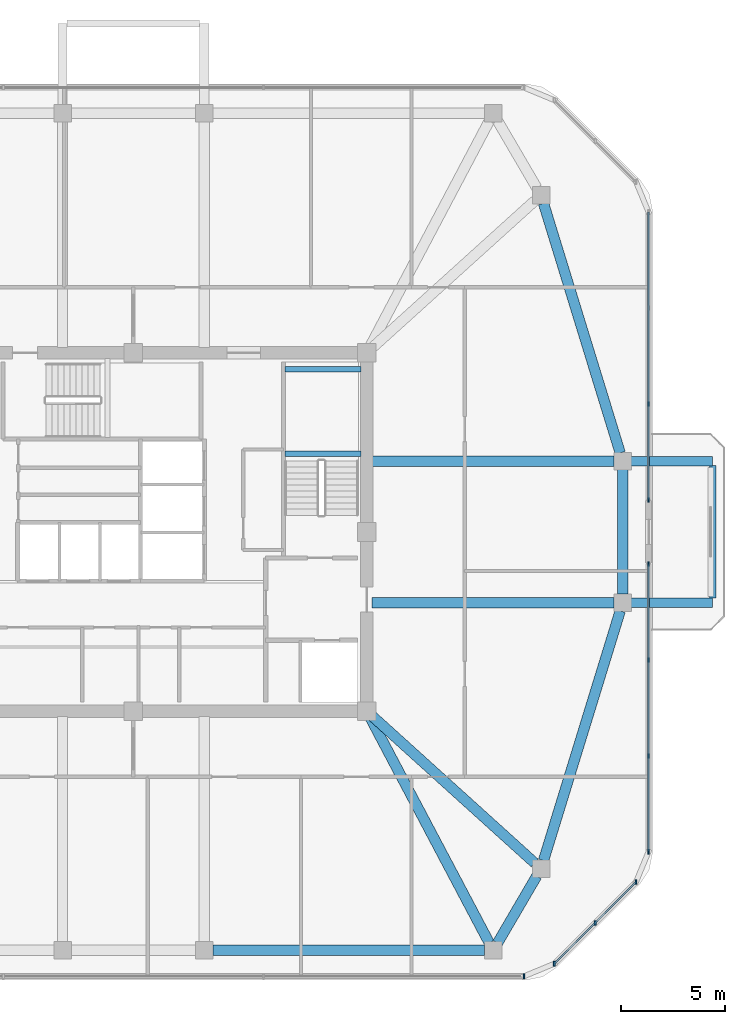
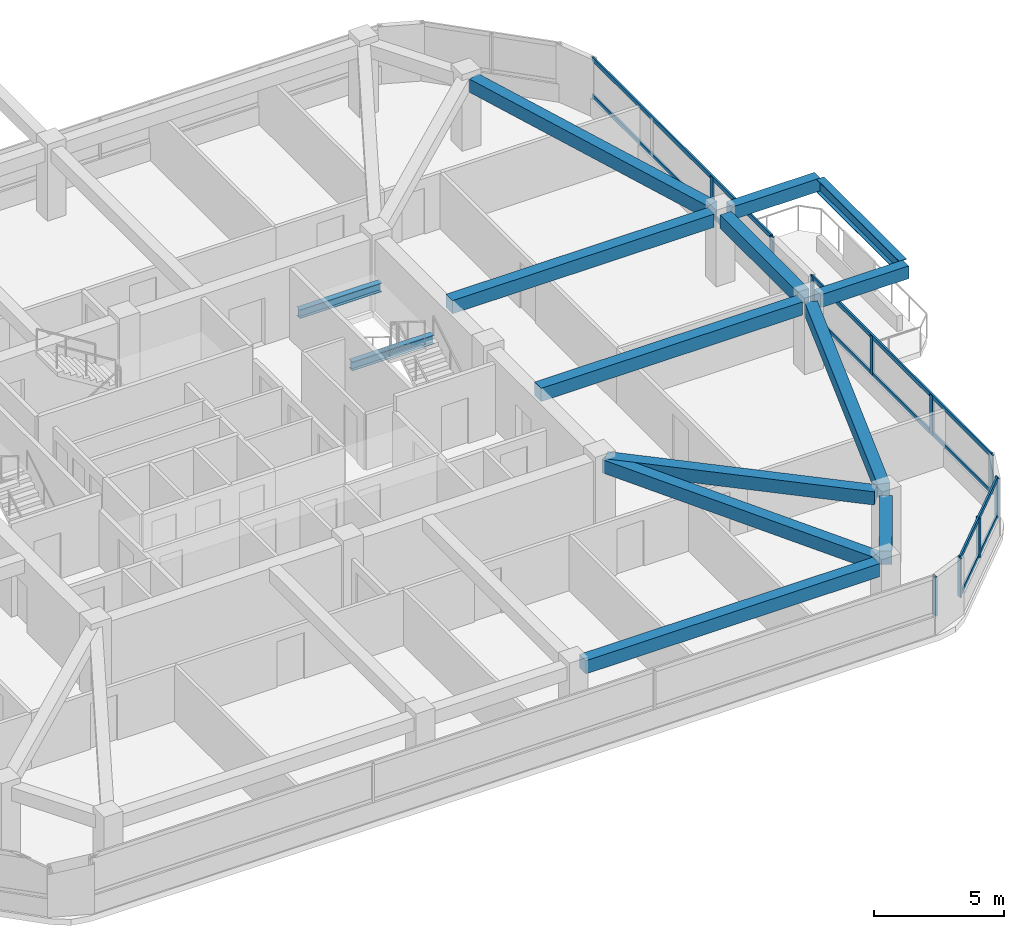
# One storey, part 5 of 14: 16 members, 14 beams, 4 elements without a shape of their own.
"""IFC4 building model written with IfcOpenShell, lengths in metres."""

from ifc_helpers import new_model, si_unit, derived_unit, direction, frame, origin, origin_2d, place, context, subcontext, project, spatial, rectangle, i_section, extrude, material, material_profile, profile_set, type_object, element, aggregate, save


model = new_model("IFC4")

# Units and contexts
model_context = context("Model", 3, precision=1e-05, world=origin(), true_north=direction((0.0, 1.0)))
body_context = subcontext(model_context, "Body", "Model", "MODEL_VIEW")
ifc_project = project(units=[si_unit("LENGTHUNIT", "METRE"), si_unit("AREAUNIT", "SQUARE_METRE"), si_unit("VOLUMEUNIT", "CUBIC_METRE"), si_unit("PLANEANGLEUNIT", "RADIAN"), si_unit("MASSUNIT", "GRAM", prefix="KILO"), derived_unit("THERMALTRANSMITTANCEUNIT", [(si_unit("POWERUNIT", "WATT"), 1), (si_unit("LENGTHUNIT", "METRE"), -2), (si_unit("THERMODYNAMICTEMPERATUREUNIT", "KELVIN"), -1)])], contexts=[model_context])

# Site, building, storey
site_placement = place(None, origin())
site = spatial("IfcSite", under=ifc_project, at=site_placement, CompositionType="ELEMENT")
building_placement = place(site_placement, origin())
building = spatial("IfcBuilding", under=site, at=building_placement, Name="Koralith Skygarden Medical Center", CompositionType="ELEMENT")
storey_placement = place(building_placement, frame((0.0, 0.0, 242.820068359375)))
storey = spatial("IfcBuildingStorey", under=building, at=storey_placement, Name="L62", CompositionType="ELEMENT", Elevation=242.820068359375)

# Curtain wall, member
ifc_material_1 = material(Name="Clear Laminated Glass", Category="glass")
curtain_wall_type = type_object("IfcCurtainWallType", Name="CW-6 Zone 5 Upper Clinical Curtain Wall", PredefinedType="NOTDEFINED", material=ifc_material_1)
curtain_wall_1_placement = place(storey_placement, origin())
curtain_wall_1 = element("IfcCurtainWall", 1, at=curtain_wall_1_placement, inside=storey, type_object=curtain_wall_type, Name="Curtain Wall CW-L62-S", PredefinedType="NOTDEFINED")
ifc_material_2 = material(Name="Aluminium 6063-T6", Category="aluminium")
ifc_material_profile_1 = material_profile(ifc_material_2, rectangle(XDim=0.0830078125, YDim=0.219970703125, at=origin_2d()), Name="MUL83X220")
ifc_profile_set_1 = profile_set([ifc_material_profile_1], Name="Aluminium 6063-T6")
member_type_1 = type_object("IfcMemberType", Name="CW-6 Extruded Mullion 83x220", PredefinedType="MULLION", material=ifc_profile_set_1)
member_1_placement = place(storey_placement, frame((55.7451171875, 4.580078125, 0.849853515625), z_axis=(0.0, 0.0, 1.0), x_axis=(1.0, 0.0, 0.0)))
member_1 = element("IfcMember", 2, at=member_1_placement, type_object=member_type_1, Name="CW-L62-S Mullion 4", PredefinedType="MULLION", context=body_context, shape_type="SweptSolid", body=[
    extrude(rectangle(XDim=0.0830078125, YDim=0.219970703125, at=origin_2d()), origin(), (0.0, 0.0, 1.0), 1.840087890625),
])
aggregate(curtain_wall_1, [member_1])

# Curtain wall, members
curtain_wall_2_placement = place(storey_placement, origin())
curtain_wall_2 = element("IfcCurtainWall", 3, at=curtain_wall_2_placement, inside=storey, type_object=curtain_wall_type, Name="Curtain Wall CW-L62-SE", PredefinedType="NOTDEFINED")
member_2_placement = place(storey_placement, frame((57.196044921875, 5.180908203125, 0.849853515625), z_axis=(0.0, 0.0, 1.0), x_axis=(1.0, 0.0, 0.0)))
member_2 = element("IfcMember", 4, at=member_2_placement, type_object=member_type_1, Name="CW-L62-SE Mullion 1", PredefinedType="MULLION", context=body_context, shape_type="SweptSolid", body=[
    extrude(rectangle(XDim=0.0830078125, YDim=0.219970703125, at=origin_2d()), origin(), (0.0, 0.0, 1.0), 1.840087890625),
])
member_3_placement = place(storey_placement, frame((59.156982421875, 7.14306640625, 0.849853515625), z_axis=(0.0, 0.0, 1.0), x_axis=(1.0, 0.0, 0.0)))
member_3 = element("IfcMember", 5, at=member_3_placement, type_object=member_type_1, Name="CW-L62-SE Mullion 2", PredefinedType="MULLION", context=body_context, shape_type="SweptSolid", body=[
    extrude(rectangle(XDim=0.0830078125, YDim=0.219970703125, at=origin_2d()), origin(), (0.0, 0.0, 1.0), 1.840087890625),
])
member_4_placement = place(storey_placement, frame((61.118896484375, 9.10400390625, 0.849853515625), z_axis=(0.0, 0.0, 1.0), x_axis=(1.0, 0.0, 0.0)))
member_4 = element("IfcMember", 6, at=member_4_placement, type_object=member_type_1, Name="CW-L62-SE Mullion 3", PredefinedType="MULLION", context=body_context, shape_type="SweptSolid", body=[
    extrude(rectangle(XDim=0.0830078125, YDim=0.219970703125, at=origin_2d()), origin(), (0.0, 0.0, 1.0), 1.840087890625),
])

curtain_wall_3_placement = place(storey_placement, origin())
curtain_wall_3 = element("IfcCurtainWall", 7, at=curtain_wall_3_placement, inside=storey, type_object=curtain_wall_type, Name="Curtain Wall CW-L62-E-L", PredefinedType="NOTDEFINED")
member_5_placement = place(storey_placement, frame((61.719970703125, 10.554931640625, 0.849853515625), z_axis=(0.0, 0.0, 1.0), x_axis=(1.0, 0.0, 0.0)))
member_5 = element("IfcMember", 8, at=member_5_placement, type_object=member_type_1, Name="CW-L62-E-L Mullion 1", PredefinedType="MULLION", context=body_context, shape_type="SweptSolid", body=[
    extrude(rectangle(XDim=0.0830078125, YDim=0.219970703125, at=origin_2d()), origin(), (0.0, 0.0, 1.0), 1.840087890625),
])
member_6_placement = place(storey_placement, frame((61.719970703125, 15.156982421875, 0.849853515625), z_axis=(0.0, 0.0, 1.0), x_axis=(1.0, 0.0, 0.0)))
member_6 = element("IfcMember", 9, at=member_6_placement, type_object=member_type_1, Name="CW-L62-E-L Mullion 2", PredefinedType="MULLION", context=body_context, shape_type="SweptSolid", body=[
    extrude(rectangle(XDim=0.0830078125, YDim=0.219970703125, at=origin_2d()), origin(), (0.0, 0.0, 1.0), 1.840087890625),
])
member_7_placement = place(storey_placement, frame((61.719970703125, 19.758056640625, 0.849853515625), z_axis=(0.0, 0.0, 1.0), x_axis=(1.0, 0.0, 0.0)))
member_7 = element("IfcMember", 10, at=member_7_placement, type_object=member_type_1, Name="CW-L62-E-L Mullion 3", PredefinedType="MULLION", context=body_context, shape_type="SweptSolid", body=[
    extrude(rectangle(XDim=0.0830078125, YDim=0.219970703125, at=origin_2d()), origin(), (0.0, 0.0, 1.0), 1.840087890625),
])
member_8_placement = place(storey_placement, frame((61.719970703125, 24.360107421875, 0.849853515625), z_axis=(0.0, 0.0, 1.0), x_axis=(1.0, 0.0, 0.0)))
member_8 = element("IfcMember", 11, at=member_8_placement, type_object=member_type_1, Name="CW-L62-E-L Mullion 4", PredefinedType="MULLION", context=body_context, shape_type="SweptSolid", body=[
    extrude(rectangle(XDim=0.0830078125, YDim=0.219970703125, at=origin_2d()), origin(), (0.0, 0.0, 1.0), 1.840087890625),
])

curtain_wall_4_placement = place(storey_placement, origin())
curtain_wall_4 = element("IfcCurtainWall", 12, at=curtain_wall_4_placement, inside=storey, type_object=curtain_wall_type, Name="Curtain Wall CW-L62-E-R", PredefinedType="NOTDEFINED")
member_9_placement = place(storey_placement, frame((61.719970703125, 27.43994140625, 0.849853515625), z_axis=(0.0, 0.0, 1.0), x_axis=(1.0, 0.0, 0.0)))
member_9 = element("IfcMember", 13, at=member_9_placement, type_object=member_type_1, Name="CW-L62-E-R Mullion 1", PredefinedType="MULLION", context=body_context, shape_type="SweptSolid", body=[
    extrude(rectangle(XDim=0.0830078125, YDim=0.219970703125, at=origin_2d()), origin(), (0.0, 0.0, 1.0), 1.840087890625),
])
member_10_placement = place(storey_placement, frame((61.719970703125, 32.0419921875, 0.849853515625), z_axis=(0.0, 0.0, 1.0), x_axis=(1.0, 0.0, 0.0)))
member_10 = element("IfcMember", 14, at=member_10_placement, type_object=member_type_1, Name="CW-L62-E-R Mullion 2", PredefinedType="MULLION", context=body_context, shape_type="SweptSolid", body=[
    extrude(rectangle(XDim=0.0830078125, YDim=0.219970703125, at=origin_2d()), origin(), (0.0, 0.0, 1.0), 1.840087890625),
])

# Member
ifc_material_profile_2 = material_profile(ifc_material_2, rectangle(XDim=0.077880859375, YDim=0.197998046875, at=origin_2d()), Name="TRN78X198")
ifc_profile_set_2 = profile_set([ifc_material_profile_2], Name="Aluminium 6063-T6")
member_type_2 = type_object("IfcMemberType", Name="CW-6 Thermal Transom 78x198", PredefinedType="USERDEFINED", material=ifc_profile_set_2)
member_11_placement = place(storey_placement, frame((57.196044921875, 5.180908203125, 0.89990234375), z_axis=(0.707084777957, 0.707128783731, 0.0), x_axis=(-0.707128783731, 0.707084777957, 0.0)))
member_11 = element("IfcMember", 15, at=member_11_placement, type_object=member_type_2, Name="CW-L62-SE Transom 1", ObjectType="TRANSOM", PredefinedType="USERDEFINED", context=body_context, shape_type="SweptSolid", body=[
    extrude(rectangle(XDim=0.077880859375, YDim=0.197998046875, at=origin_2d()), origin(), (0.0, 0.0, 1.0), 5.5478515625),
])

member_12_placement = place(storey_placement, frame((57.196044921875, 5.180908203125, 2.639892578125), z_axis=(0.707084777957, 0.707128783731, 0.0), x_axis=(-0.707128783731, 0.707084777957, 0.0)))
member_12 = element("IfcMember", 16, at=member_12_placement, type_object=member_type_2, Name="CW-L62-SE Transom 2", ObjectType="TRANSOM", PredefinedType="USERDEFINED", context=body_context, shape_type="SweptSolid", body=[
    extrude(rectangle(XDim=0.077880859375, YDim=0.197998046875, at=origin_2d()), origin(), (0.0, 0.0, 1.0), 5.5478515625),
])

aggregate(curtain_wall_2, [member_2, member_3, member_4, member_11, member_12])

member_13_placement = place(storey_placement, frame((61.719970703125, 10.554931640625, 0.89990234375), z_axis=(0.0, 1.0, 0.0), x_axis=(-1.0, 0.0, 0.0)))
member_13 = element("IfcMember", 17, at=member_13_placement, type_object=member_type_2, Name="CW-L62-E-L Transom 1", ObjectType="TRANSOM", PredefinedType="USERDEFINED", context=body_context, shape_type="SweptSolid", body=[
    extrude(rectangle(XDim=0.077880859375, YDim=0.197998046875, at=origin_2d()), origin(), (0.0, 0.0, 1.0), 13.80517578125),
])

member_14_placement = place(storey_placement, frame((61.719970703125, 10.554931640625, 2.639892578125), z_axis=(0.0, 1.0, 0.0), x_axis=(-1.0, 0.0, 0.0)))
member_14 = element("IfcMember", 18, at=member_14_placement, type_object=member_type_2, Name="CW-L62-E-L Transom 2", ObjectType="TRANSOM", PredefinedType="USERDEFINED", context=body_context, shape_type="SweptSolid", body=[
    extrude(rectangle(XDim=0.077880859375, YDim=0.197998046875, at=origin_2d()), origin(), (0.0, 0.0, 1.0), 13.80517578125),
])

aggregate(curtain_wall_3, [member_5, member_6, member_7, member_8, member_13, member_14])

member_15_placement = place(storey_placement, frame((61.719970703125, 27.43994140625, 0.89990234375), z_axis=(0.0, 1.0, 0.0), x_axis=(-1.0, 0.0, 0.0)))
member_15 = element("IfcMember", 19, at=member_15_placement, type_object=member_type_2, Name="CW-L62-E-R Transom 1", ObjectType="TRANSOM", PredefinedType="USERDEFINED", context=body_context, shape_type="SweptSolid", body=[
    extrude(rectangle(XDim=0.077880859375, YDim=0.197998046875, at=origin_2d()), origin(), (0.0, 0.0, 1.0), 13.80517578125),
])

member_16_placement = place(storey_placement, frame((61.719970703125, 27.43994140625, 2.639892578125), z_axis=(0.0, 1.0, 0.0), x_axis=(-1.0, 0.0, 0.0)))
member_16 = element("IfcMember", 20, at=member_16_placement, type_object=member_type_2, Name="CW-L62-E-R Transom 2", ObjectType="TRANSOM", PredefinedType="USERDEFINED", context=body_context, shape_type="SweptSolid", body=[
    extrude(rectangle(XDim=0.077880859375, YDim=0.197998046875, at=origin_2d()), origin(), (0.0, 0.0, 1.0), 13.80517578125),
])

aggregate(curtain_wall_4, [member_9, member_10, member_15, member_16])

# Beams
ifc_material_3 = material(Name="Steel ASTM A992 Grade 50", Category="steel")
ifc_material_profile_3 = material_profile(ifc_material_3, i_section(OverallWidth=0.326904296875, OverallDepth=0.6220703125, WebThickness=0.015380859375, FlangeThickness=0.0244140625, at=origin_2d()), Name="W24X131")
ifc_profile_set_3 = profile_set([ifc_material_profile_3], Name="Steel ASTM A992 Grade 50")
beam_type_1 = type_object("IfcBeamType", Name="Cantilever Tie Beam W24X131", PredefinedType="BEAM", material=ifc_profile_set_3)
beam_1_placement = place(storey_placement, frame((64.800048828125, 22.719970703125, 3.029052734375), z_axis=(0.0, 1.0, 0.0), x_axis=(-1.0, 0.0, 0.0)))
element("IfcBeam", 21, at=beam_1_placement, inside=storey, type_object=beam_type_1, Name="L63 E Balcony Tip Tie Beam", PredefinedType="BEAM", context=body_context, shape_type="SweptSolid", body=[
    extrude(i_section(OverallWidth=0.326904296875, OverallDepth=0.6220703125, WebThickness=0.015380859375, FlangeThickness=0.0244140625, at=origin_2d()), origin(), (0.0, 0.0, 1.0), 6.360107421875),
])
ifc_material_profile_4 = material_profile(ifc_material_3, i_section(OverallWidth=0.260009765625, OverallDepth=0.4150390625, WebThickness=0.010009765625, FlangeThickness=0.016845703125, at=origin_2d()), Name="W16X67")
ifc_profile_set_4 = profile_set([ifc_material_profile_4], Name="Steel ASTM A992 Grade 50")
beam_type_2 = type_object("IfcBeamType", Name="Clinical Floor Joist W16X67", PredefinedType="JOIST", material=ifc_profile_set_4)
for number, where, z_axis, x_axis, name in (
    (22, (44.280029296875, 29.659912109375, 1.392822265625), (1.0, 0.0, 0.0), (0.0, 1.0, 0.0), "L62 Stair ST2 Half-Landing Support Beam 1A"),
    (23, (44.280029296875, 33.699951171875, 1.392822265625), (1.0, 0.0, 0.0), (0.0, 1.0, 0.0), "L62 Stair ST2 Half-Landing Support Beam 1B"),
):
    element("IfcBeam", number, at=place(storey_placement, frame(where, z_axis=z_axis, x_axis=x_axis)), inside=storey, type_object=beam_type_2, Name=name, PredefinedType="JOIST", context=body_context, shape_type="SweptSolid", body=[
        extrude(i_section(OverallWidth=0.260009765625, OverallDepth=0.4150390625, WebThickness=0.010009765625, FlangeThickness=0.016845703125, at=origin_2d()), origin(), (0.0, 0.0, 1.0), 3.639892578125),
    ])
ifc_material_4 = material(Name="Concrete C45/55", Category="concrete")
ifc_material_profile_5 = material_profile(ifc_material_4, rectangle(XDim=0.449951171875, YDim=0.60009765625, at=origin_2d()), Name="RCB450X600")
ifc_profile_set_5 = profile_set([ifc_material_profile_5], Name="Concrete C45/55")
beam_type_3 = type_object("IfcBeamType", Name="Planted Balcony Cantilever Beam RCB450X600", PredefinedType="BEAM", material=ifc_profile_set_5)
for number, where, z_axis, x_axis, name in (
    (24, (60.8798828125, 22.5, 3.0400390625), (1.0, 0.0, 0.0), (0.0, 1.0, 0.0), "L63 E Balcony Cantilever Beam A"),
    (25, (60.8798828125, 29.300048828125, 3.0400390625), (1.0, 0.0, 0.0), (0.0, 1.0, 0.0), "L63 E Balcony Cantilever Beam B"),
):
    element("IfcBeam", number, at=place(storey_placement, frame(where, z_axis=z_axis, x_axis=x_axis)), inside=storey, type_object=beam_type_3, Name=name, PredefinedType="BEAM", context=body_context, shape_type="SweptSolid", body=[
        extrude(rectangle(XDim=0.449951171875, YDim=0.60009765625, at=origin_2d()), origin(), (0.0, 0.0, 1.0), 3.920166015625),
    ])
ifc_material_profile_6 = material_profile(ifc_material_4, rectangle(XDim=0.5, YDim=0.6201171875, at=origin_2d()), Name="RCB500X620")
ifc_profile_set_6 = profile_set([ifc_material_profile_6], Name="Concrete C45/55")
beam_type_4 = type_object("IfcBeamType", Name="Upper Radial Collector Beam RCB500X620", PredefinedType="BEAM", material=ifc_profile_set_6)
beam_2_placement = place(storey_placement, frame((48.31689453125, 17.0791015625, 3.010009765625), z_axis=(0.46724871287, -0.884125918816, 0.0), x_axis=(0.884125918816, 0.46724871287, 0.0)))
element("IfcBeam", 26, at=beam_2_placement, inside=storey, type_object=beam_type_4, Name="L62 Radial Collector Beam RB-06", PredefinedType="BEAM", context=body_context, shape_type="SweptSolid", body=[
    extrude(rectangle(XDim=0.5, YDim=0.6201171875, at=origin_2d()), origin(), (0.0, 0.0, 1.0), 12.325439453125),
])
beam_3_placement = place(storey_placement, frame((48.385009765625, 17.132080078125, 3.010009765625), z_axis=(0.741736323186, -0.670691603397, 0.0), x_axis=(0.670691603397, 0.741736323186, 0.0)))
element("IfcBeam", 27, at=beam_3_placement, inside=storey, type_object=beam_type_4, Name="L62 Radial Collector Beam RB-07", PredefinedType="BEAM", context=body_context, shape_type="SweptSolid", body=[
    extrude(rectangle(XDim=0.5, YDim=0.6201171875, at=origin_2d()), origin(), (0.0, 0.0, 1.0), 10.61181640625),
])
for number, where, z_axis, x_axis, name in (
    (28, (48.449951171875, 22.5, 3.010009765625), (1.0, 0.0, 0.0), (0.0, 1.0, 0.0), "L62 Radial Collector Beam RB-08"),
    (29, (48.449951171875, 29.300048828125, 3.010009765625), (1.0, 0.0, 0.0), (0.0, 1.0, 0.0), "L62 Radial Collector Beam RB-09"),
):
    element("IfcBeam", number, at=place(storey_placement, frame(where, z_axis=z_axis, x_axis=x_axis)), inside=storey, type_object=beam_type_4, Name=name, PredefinedType="BEAM", context=body_context, shape_type="SweptSolid", body=[
        extrude(rectangle(XDim=0.5, YDim=0.6201171875, at=origin_2d()), origin(), (0.0, 0.0, 1.0), 11.6201171875),
    ])
ifc_material_profile_7 = material_profile(ifc_material_4, rectangle(XDim=0.5, YDim=0.6201171875, at=origin_2d()), Name="RCB500X620")
ifc_profile_set_7 = profile_set([ifc_material_profile_7], Name="Concrete C45/55")
beam_type_5 = type_object("IfcBeamType", Name="Zone 4-5 Spandrel Beam RCB500X620", PredefinedType="SPANDREL", material=ifc_profile_set_7)
beam_4_placement = place(storey_placement, frame((40.81005859375, 5.820068359375, 3.010009765625), z_axis=(1.0, 0.0, 0.0), x_axis=(0.0, 1.0, 0.0)))
element("IfcBeam", 30, at=beam_4_placement, inside=storey, type_object=beam_type_5, Name="L62 Perimeter Spandrel Beam SP-05", PredefinedType="SPANDREL", context=body_context, shape_type="SweptSolid", body=[
    extrude(rectangle(XDim=0.5, YDim=0.6201171875, at=origin_2d()), origin(), (0.0, 0.0, 1.0), 13.0478515625),
])
beam_5_placement = place(storey_placement, frame((54.47509765625, 6.174072265625, 3.010009765625), z_axis=(0.50473571007, 0.863273921175, 0.0), x_axis=(-0.863273921175, 0.50473571007, 0.0)))
element("IfcBeam", 31, at=beam_5_placement, inside=storey, type_object=beam_type_5, Name="L62 Perimeter Spandrel Beam SP-06", PredefinedType="SPANDREL", context=body_context, shape_type="SweptSolid", body=[
    extrude(rectangle(XDim=0.5, YDim=0.6201171875, at=origin_2d()), origin(), (0.0, 0.0, 1.0), 3.720703125),
])
beam_6_placement = place(storey_placement, frame((56.679931640625, 10.132080078125, 3.010009765625), z_axis=(0.293743494914, 0.955884281279, 0.0), x_axis=(-0.955884281279, 0.293743494914, 0.0)))
element("IfcBeam", 32, at=beam_6_placement, inside=storey, type_object=beam_type_5, Name="L62 Perimeter Spandrel Beam SP-07", PredefinedType="SPANDREL", context=body_context, shape_type="SweptSolid", body=[
    extrude(rectangle(XDim=0.5, YDim=0.6201171875, at=origin_2d()), origin(), (0.0, 0.0, 1.0), 12.528564453125),
])
beam_7_placement = place(storey_placement, frame((60.47998046875, 22.909912109375, 3.010009765625), z_axis=(0.0, 1.0, 0.0), x_axis=(-1.0, 0.0, 0.0)))
element("IfcBeam", 33, at=beam_7_placement, inside=storey, type_object=beam_type_5, Name="L62 Perimeter Spandrel Beam SP-08", PredefinedType="SPANDREL", context=body_context, shape_type="SweptSolid", body=[
    extrude(rectangle(XDim=0.5, YDim=0.6201171875, at=origin_2d()), origin(), (0.0, 0.0, 1.0), 5.97998046875),
])
beam_8_placement = place(storey_placement, frame((60.360107421875, 29.69189453125, 3.010009765625), z_axis=(-0.293738023424, 0.955885962652, 0.0), x_axis=(-0.955885962652, -0.293738023424, 0.0)))
element("IfcBeam", 34, at=beam_8_placement, inside=storey, type_object=beam_type_5, Name="L62 Perimeter Spandrel Beam SP-09", PredefinedType="SPANDREL", context=body_context, shape_type="SweptSolid", body=[
    extrude(rectangle(XDim=0.5, YDim=0.6201171875, at=origin_2d()), origin(), (0.0, 0.0, 1.0), 12.52880859375),
])

save(model, "model.ifc")
